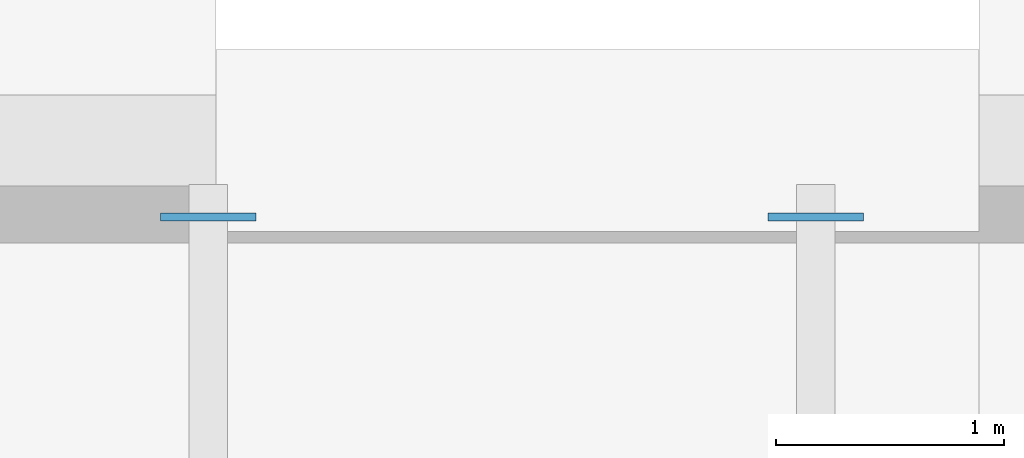
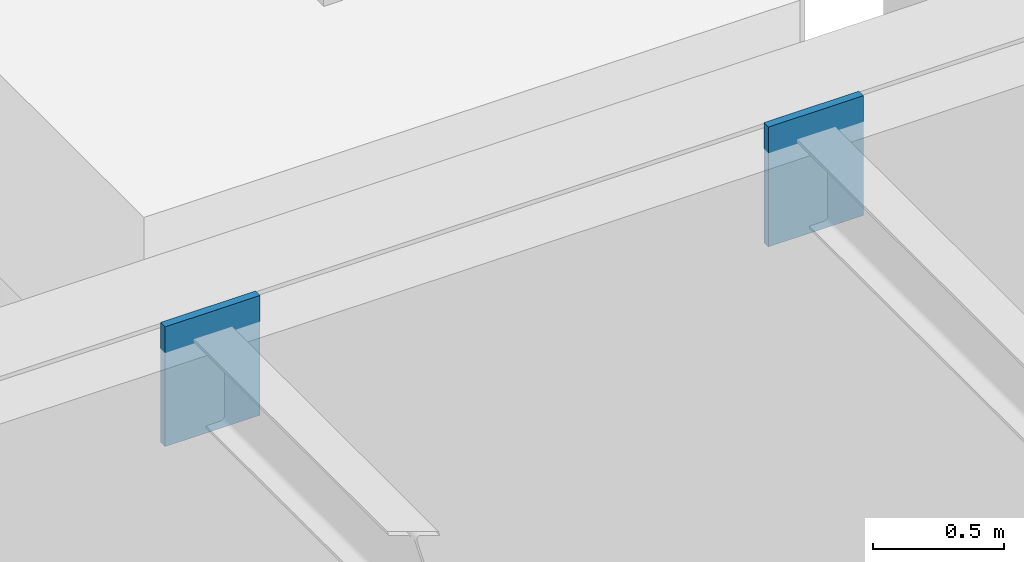
# One storey, part 36 of 71: 2 plates.
"""IFC4 building model written with IfcOpenShell, lengths in metres."""

from ifc_helpers import new_model, si_unit, direction, frame, origin, origin_2d, place, context, subcontext, project, spatial, rectangle, extrude, material, layer, layer_set, type_object, element, save


model = new_model("IFC4")

# Units and contexts
model_context = context("Model", 3, precision=1e-05, world=origin(), true_north=direction((0.0, 1.0)))
body_context = subcontext(model_context, "Body", "Model", "MODEL_VIEW")
ifc_project = project(units=[si_unit("LENGTHUNIT", "METRE"), si_unit("AREAUNIT", "SQUARE_METRE"), si_unit("VOLUMEUNIT", "CUBIC_METRE"), si_unit("PLANEANGLEUNIT", "RADIAN"), si_unit("MASSUNIT", "GRAM", prefix="KILO")], contexts=[model_context])

# Site, building, storey
site_placement = place(None, origin())
site = spatial("IfcSite", under=ifc_project, at=site_placement, CompositionType="ELEMENT")
building_placement = place(site_placement, origin())
building = spatial("IfcBuilding", under=site, at=building_placement, Name="Sundkrona Museum", CompositionType="ELEMENT")
storey_placement = place(building_placement, frame((0.0, 0.0, -5.39990234375)))
storey = spatial("IfcBuildingStorey", under=building, at=storey_placement, Name="B1", CompositionType="ELEMENT", Elevation=-5.39990234375)

# Plates
ifc_material = material(Name="Steel S355J2", Category="steel")
ifc_layer = layer(ifc_material, 0.034912109375)
ifc_layer_set = layer_set([ifc_layer], Name="Steel S355J2")
plate_type = type_object("IfcPlateType", Name="EP-1", PredefinedType="USERDEFINED", material=ifc_layer_set)
for number, where, z_axis, x_axis, name in (
    (1, (122.666748046875, 45.664306640625, 4.659912109375), (0.0, 0.0, 1.0), (1.0, 0.0, 0.0), "Structural Wall Cast-In Embed Plate JS-B1-0178-2"),
    (2, (125.333251953125, 45.664306640625, 4.659912109375), (0.0, 0.0, 1.0), (1.0, 0.0, 0.0), "Structural Wall Cast-In Embed Plate JS-B1-0179-2"),
):
    element("IfcPlate", number, at=place(storey_placement, frame(where, z_axis=z_axis, x_axis=x_axis)), inside=storey, type_object=plate_type, Name=name, ObjectType="GUSSET PLATE", PredefinedType="USERDEFINED", context=body_context, shape_type="SweptSolid", body=[
        extrude(rectangle(XDim=0.419921875, YDim=0.034912109375, at=origin_2d()), origin(), (0.0, 0.0, 1.0), 0.56005859375),
    ])

save(model, "model.ifc")
